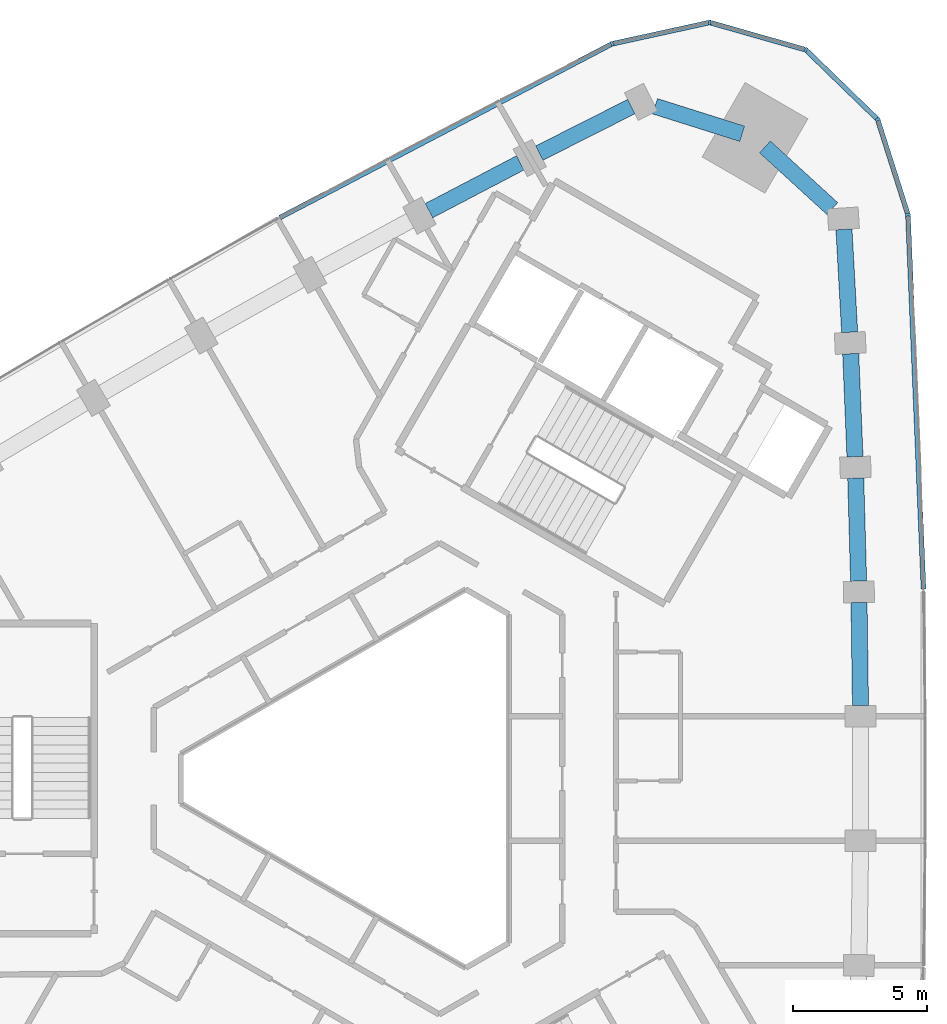
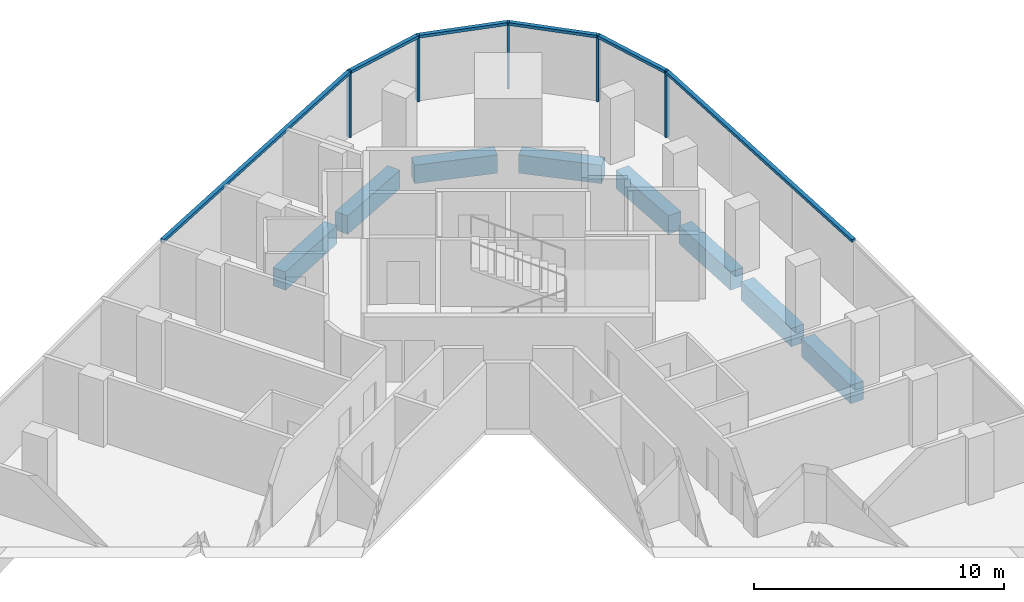
# One storey, part 5 of 12: 11 members, 8 beams, 2 elements without a shape of their own.
"""IFC4 building model written with IfcOpenShell, lengths in metres."""

from ifc_helpers import new_model, si_unit, direction, frame, origin, origin_2d, place, context, subcontext, project, spatial, rectangle, extrude, material, material_profile, profile_set, type_object, element, aggregate, save


model = new_model("IFC4")

# Units and contexts
model_context = context("Model", 3, precision=1e-05, world=origin(), true_north=direction((0.0, 1.0)))
body_context = subcontext(model_context, "Body", "Model", "MODEL_VIEW")
ifc_project = project(units=[si_unit("LENGTHUNIT", "METRE"), si_unit("AREAUNIT", "SQUARE_METRE"), si_unit("VOLUMEUNIT", "CUBIC_METRE"), si_unit("PLANEANGLEUNIT", "RADIAN"), si_unit("MASSUNIT", "GRAM", prefix="KILO")], contexts=[model_context])

# Site, building, storey
site_placement = place(None, origin())
site = spatial("IfcSite", under=ifc_project, at=site_placement, CompositionType="ELEMENT")
building_placement = place(site_placement, origin())
building = spatial("IfcBuilding", under=site, at=building_placement, Name="Tamra Quay Hotel Tower", CompositionType="ELEMENT")
storey_placement = place(building_placement, frame((0.0, 0.0, 200.800048828125)))
storey = spatial("IfcBuildingStorey", under=building, at=storey_placement, Name="L50", CompositionType="ELEMENT", Elevation=200.800048828125)

# Curtain wall, members
ifc_material_1 = material(Name="Aluminium 6063 anodised dark grey", Category="aluminium")
curtain_wall_type_1 = type_object("IfcCurtainWallType", Name="CW1 CURTAIN WALL", PredefinedType="NOTDEFINED", material=ifc_material_1)
curtain_wall_1_placement = place(storey_placement, origin())
curtain_wall_1 = element("IfcCurtainWall", 1, at=curtain_wall_1_placement, inside=storey, type_object=curtain_wall_type_1, Name="CW1 east face L50", PredefinedType="NOTDEFINED")
ifc_material_profile_1 = material_profile(ifc_material_1, rectangle(XDim=0.179931640625, YDim=0.10009765625, at=origin_2d()), Name="MULLION 100X180")
ifc_profile_set_1 = profile_set([ifc_material_profile_1], Name="Aluminium 6063 anodised dark grey")
member_type_1 = type_object("IfcMemberType", Name="MULLION CW1 Z4", PredefinedType="MULLION", material=ifc_profile_set_1)
member_1_placement = place(storey_placement, frame((19.4755859375, 21.00537109375, 0.0), z_axis=(0.0, 0.0, 1.0), x_axis=(0.98350948997, 0.180856526394, 0.0)))
member_1 = element("IfcMember", 2, at=member_1_placement, type_object=member_type_1, Name="CW1 mullion L50.E.10", PredefinedType="MULLION", context=body_context, shape_type="SweptSolid", body=[
    extrude(rectangle(XDim=0.179931640625, YDim=0.10009765625, at=origin_2d()), origin(), (0.0, 0.0, 1.0), 3.25),
])
member_2_placement = place(storey_placement, frame((18.345947265625, 24.553466796875, 0.0), z_axis=(0.0, 0.0, 1.0), x_axis=(0.85012217174, 0.526585504089, 0.0)))
member_2 = element("IfcMember", 3, at=member_2_placement, type_object=member_type_1, Name="CW1 mullion L50.E.11", PredefinedType="MULLION", context=body_context, shape_type="SweptSolid", body=[
    extrude(rectangle(XDim=0.179931640625, YDim=0.10009765625, at=origin_2d()), origin(), (0.0, 0.0, 1.0), 3.25),
])
member_3_placement = place(storey_placement, frame((15.67236328125, 27.145263671875, 0.0), z_axis=(0.0, 0.0, 1.0), x_axis=(0.5, 0.866025403784, 0.0)))
member_3 = element("IfcMember", 4, at=member_3_placement, type_object=member_type_1, Name="CW1 mullion L50.E.12", PredefinedType="MULLION", context=body_context, shape_type="SweptSolid", body=[
    extrude(rectangle(XDim=0.179931640625, YDim=0.10009765625, at=origin_2d()), origin(), (0.0, 0.0, 1.0), 3.25),
])
member_4_placement = place(storey_placement, frame((12.091064453125, 28.164794921875, 0.0), z_axis=(0.0, 0.0, 1.0), x_axis=(0.030975337936, 0.999520149091, 0.0)))
member_4 = element("IfcMember", 5, at=member_4_placement, type_object=member_type_1, Name="CW1 mullion L50.E.13", PredefinedType="MULLION", context=body_context, shape_type="SweptSolid", body=[
    extrude(rectangle(XDim=0.179931640625, YDim=0.10009765625, at=origin_2d()), origin(), (0.0, 0.0, 1.0), 3.25),
])

# Curtain wall, member
curtain_wall_type_2 = type_object("IfcCurtainWallType", Name="CW2 CURTAIN WALL", PredefinedType="NOTDEFINED", material=ifc_material_1)
curtain_wall_2_placement = place(storey_placement, origin())
curtain_wall_2 = element("IfcCurtainWall", 6, at=curtain_wall_2_placement, inside=storey, type_object=curtain_wall_type_2, Name="CW2 north-west face L50", PredefinedType="NOTDEFINED")
ifc_material_profile_2 = material_profile(ifc_material_1, rectangle(XDim=0.179931640625, YDim=0.10009765625, at=origin_2d()), Name="MULLION 100X180")
ifc_profile_set_2 = profile_set([ifc_material_profile_2], Name="Aluminium 6063 anodised dark grey")
member_type_2 = type_object("IfcMemberType", Name="MULLION CW2 Z4", PredefinedType="MULLION", material=ifc_profile_set_2)
member_5_placement = place(storey_placement, frame((8.453369140625, 27.369140625, 0.0), z_axis=(0.0, 0.0, 1.0), x_axis=(-0.335128398687, 0.942172466374, 0.0)))
member_5 = element("IfcMember", 7, at=member_5_placement, type_object=member_type_2, Name="CW2 mullion L50.NW.1", PredefinedType="MULLION", context=body_context, shape_type="SweptSolid", body=[
    extrude(rectangle(XDim=0.179931640625, YDim=0.10009765625, at=origin_2d()), origin(), (0.0, 0.0, 1.0), 3.25),
])

# Beams
ifc_material_2 = material(Name="Concrete M60", Category="concrete")
ifc_material_profile_3 = material_profile(ifc_material_2, rectangle(XDim=0.60009765625, YDim=0.89990234375, at=origin_2d()), Name="SPANDREL BEAM RC 600x900")
ifc_profile_set_3 = profile_set([ifc_material_profile_3], Name="Concrete M60")
beam_type = type_object("IfcBeamType", Name="SPANDREL BEAM RC 600x900", PredefinedType="SPANDREL", material=ifc_profile_set_3)
beam_1_placement = place(storey_placement, frame((17.706787109375, 2.71875, -0.800048828125), z_axis=(-0.01380539035, 0.999904701058, 0.0), x_axis=(-0.999904701058, -0.01380539035, 0.0)))
element("IfcBeam", 8, at=beam_1_placement, inside=storey, type_object=beam_type, Name="BM-SP4-005-L50", PredefinedType="SPANDREL", context=body_context, shape_type="SweptSolid", body=[
    extrude(rectangle(XDim=0.60009765625, YDim=0.89990234375, at=origin_2d()), origin(), (0.0, 0.0, 1.0), 3.83740234375),
])
beam_2_placement = place(storey_placement, frame((17.636962890625, 7.355712890625, -0.800048828125), z_axis=(-0.02773528523, 0.999615302981, 0.0), x_axis=(-0.999615302981, -0.02773528523, 0.0)))
element("IfcBeam", 9, at=beam_2_placement, inside=storey, type_object=beam_type, Name="BM-SP4-006-L50", PredefinedType="SPANDREL", context=body_context, shape_type="SweptSolid", body=[
    extrude(rectangle(XDim=0.60009765625, YDim=0.89990234375, at=origin_2d()), origin(), (0.0, 0.0, 1.0), 3.837890625),
])
beam_3_placement = place(storey_placement, frame((17.502685546875, 11.99169921875, -0.800048828125), z_axis=(-0.041609373826, 0.999133954988, 0.0), x_axis=(-0.999133954988, -0.041609373826, 0.0)))
element("IfcBeam", 10, at=beam_3_placement, inside=storey, type_object=beam_type, Name="BM-SP4-007-L50", PredefinedType="SPANDREL", context=body_context, shape_type="SweptSolid", body=[
    extrude(rectangle(XDim=0.60009765625, YDim=0.89990234375, at=origin_2d()), origin(), (0.0, 0.0, 1.0), 3.83740234375),
])
beam_4_placement = place(storey_placement, frame((17.30419921875, 16.625, -0.800048828125), z_axis=(-0.055346700292, 0.99846719664, 0.0), x_axis=(-0.99846719664, -0.055346700292, 0.0)))
element("IfcBeam", 11, at=beam_4_placement, inside=storey, type_object=beam_type, Name="BM-SP4-008-L50", PredefinedType="SPANDREL", context=body_context, shape_type="SweptSolid", body=[
    extrude(rectangle(XDim=0.60009765625, YDim=0.89990234375, at=origin_2d()), origin(), (0.0, 0.0, 1.0), 3.837646484375),
])
beam_5_placement = place(storey_placement, frame((16.659423828125, 21.2314453125, -0.800048828125), z_axis=(-0.737716497183, 0.675110635218, 0.0), x_axis=(-0.675110635218, -0.737716497183, 0.0)))
element("IfcBeam", 12, at=beam_5_placement, inside=storey, type_object=beam_type, Name="BM-SP4-009-L50", PredefinedType="SPANDREL", context=body_context, shape_type="SweptSolid", body=[
    extrude(rectangle(XDim=0.60009765625, YDim=0.89990234375, at=origin_2d()), origin(), (0.0, 0.0, 1.0), 3.404296875),
])
beam_6_placement = place(storey_placement, frame((13.302978515625, 24.017333984375, -0.800048828125), z_axis=(-0.953502415748, 0.301385373174, 0.0), x_axis=(-0.301385373174, -0.953502415748, 0.0)))
element("IfcBeam", 13, at=beam_6_placement, inside=storey, type_object=beam_type, Name="BM-SP4-010-L50", PredefinedType="SPANDREL", context=body_context, shape_type="SweptSolid", body=[
    extrude(rectangle(XDim=0.60009765625, YDim=0.89990234375, at=origin_2d()), origin(), (0.0, 0.0, 1.0), 3.40380859375),
])
beam_7_placement = place(storey_placement, frame((9.170166015625, 25.030029296875, -0.800048828125), z_axis=(-0.892407883039, -0.451229620359, 0.0), x_axis=(0.451229620359, -0.892407883039, 0.0)))
element("IfcBeam", 14, at=beam_7_placement, inside=storey, type_object=beam_type, Name="BM-SP4-011-L50", PredefinedType="SPANDREL", context=body_context, shape_type="SweptSolid", body=[
    extrude(rectangle(XDim=0.60009765625, YDim=0.89990234375, at=origin_2d()), origin(), (0.0, 0.0, 1.0), 3.837646484375),
])
beam_8_placement = place(storey_placement, frame((5.033935546875, 22.9326171875, -0.800048828125), z_axis=(-0.886043134182, -0.463602808845, 0.0), x_axis=(0.463602808845, -0.886043134182, 0.0)))
element("IfcBeam", 15, at=beam_8_placement, inside=storey, type_object=beam_type, Name="BM-SP4-012-L50", PredefinedType="SPANDREL", context=body_context, shape_type="SweptSolid", body=[
    extrude(rectangle(XDim=0.60009765625, YDim=0.89990234375, at=origin_2d()), origin(), (0.0, 0.0, 1.0), 3.83740234375),
])

# Member
ifc_material_profile_4 = material_profile(ifc_material_1, rectangle(XDim=0.179931640625, YDim=0.139892578125, at=origin_2d()), Name="TRANSOM 180X140")
ifc_profile_set_4 = profile_set([ifc_material_profile_4], Name="Aluminium 6063 anodised dark grey")
member_type_3 = type_object("IfcMemberType", Name="TRANSOM CW1 Z4", PredefinedType="USERDEFINED", material=ifc_profile_set_4)
member_6_placement = place(storey_placement, frame((20.056884765625, 7.056640625, 3.179931640625), z_axis=(-0.041576525187, 0.999135322443, 0.0), x_axis=(-0.999135322443, -0.041576525187, 0.0)))
member_6 = element("IfcMember", 16, at=member_6_placement, type_object=member_type_3, Name="CW1 transom L50.E.7", ObjectType="TRANSOM", PredefinedType="USERDEFINED", context=body_context, shape_type="SweptSolid", body=[
    extrude(rectangle(XDim=0.179931640625, YDim=0.139892578125, at=origin_2d()), origin(), (0.0, 0.0, 1.0), 13.910888671875),
])

member_7_placement = place(storey_placement, frame((19.46044921875, 21.052978515625, 3.179931640625), z_axis=(-0.303384410911, 0.952868248614, 0.0), x_axis=(-0.952868248614, -0.303384410911, 0.0)))
member_7 = element("IfcMember", 17, at=member_7_placement, type_object=member_type_3, Name="CW1 transom L50.E.10", ObjectType="TRANSOM", PredefinedType="USERDEFINED", context=body_context, shape_type="SweptSolid", body=[
    extrude(rectangle(XDim=0.179931640625, YDim=0.139892578125, at=origin_2d()), origin(), (0.0, 0.0, 1.0), 3.623779296875),
])

member_8_placement = place(storey_placement, frame((18.31005859375, 24.58837890625, 3.179931640625), z_axis=(-0.718003439243, 0.696039554361, 0.0), x_axis=(-0.696039554361, -0.718003439243, 0.0)))
member_8 = element("IfcMember", 18, at=member_8_placement, type_object=member_type_3, Name="CW1 transom L50.E.11", ObjectType="TRANSOM", PredefinedType="USERDEFINED", context=body_context, shape_type="SweptSolid", body=[
    extrude(rectangle(XDim=0.179931640625, YDim=0.139892578125, at=origin_2d()), origin(), (0.0, 0.0, 1.0), 3.623779296875),
])

member_9_placement = place(storey_placement, frame((15.624267578125, 27.158935546875, 3.179931640625), z_axis=(-0.961782850697, 0.273813345375, 0.0), x_axis=(-0.273813345375, -0.961782850697, 0.0)))
member_9 = element("IfcMember", 19, at=member_9_placement, type_object=member_type_3, Name="CW1 transom L50.E.12", ObjectType="TRANSOM", PredefinedType="USERDEFINED", context=body_context, shape_type="SweptSolid", body=[
    extrude(rectangle(XDim=0.179931640625, YDim=0.139892578125, at=origin_2d()), origin(), (0.0, 0.0, 1.0), 3.62353515625),
])

member_10_placement = place(storey_placement, frame((12.042236328125, 28.154052734375, 3.179931640625), z_axis=(-0.976912322542, -0.21364061895, 0.0), x_axis=(0.21364061895, -0.976912322542, 0.0)))
member_10 = element("IfcMember", 20, at=member_10_placement, type_object=member_type_3, Name="CW1 transom L50.E.13", ObjectType="TRANSOM", PredefinedType="USERDEFINED", context=body_context, shape_type="SweptSolid", body=[
    extrude(rectangle(XDim=0.179931640625, YDim=0.139892578125, at=origin_2d()), origin(), (0.0, 0.0, 1.0), 3.623779296875),
])

aggregate(curtain_wall_1, [member_6, member_1, member_7, member_2, member_8, member_3, member_9, member_4, member_10])

ifc_material_profile_5 = material_profile(ifc_material_1, rectangle(XDim=0.179931640625, YDim=0.139892578125, at=origin_2d()), Name="TRANSOM 180X140")
ifc_profile_set_5 = profile_set([ifc_material_profile_5], Name="Aluminium 6063 anodised dark grey")
member_type_4 = type_object("IfcMemberType", Name="TRANSOM CW2 Z4", PredefinedType="USERDEFINED", material=ifc_profile_set_5)
member_11_placement = place(storey_placement, frame((8.40869140625, 27.346435546875, 3.179931640625), z_axis=(-0.886073593198, -0.463544590559, 0.0), x_axis=(0.463544590559, -0.886073593198, 0.0)))
member_11 = element("IfcMember", 21, at=member_11_placement, type_object=member_type_4, Name="CW2 transom L50.NW.1", ObjectType="TRANSOM", PredefinedType="USERDEFINED", context=body_context, shape_type="SweptSolid", body=[
    extrude(rectangle(XDim=0.179931640625, YDim=0.139892578125, at=origin_2d()), origin(), (0.0, 0.0, 1.0), 13.91064453125),
])

aggregate(curtain_wall_2, [member_5, member_11])

save(model, "model.ifc")
